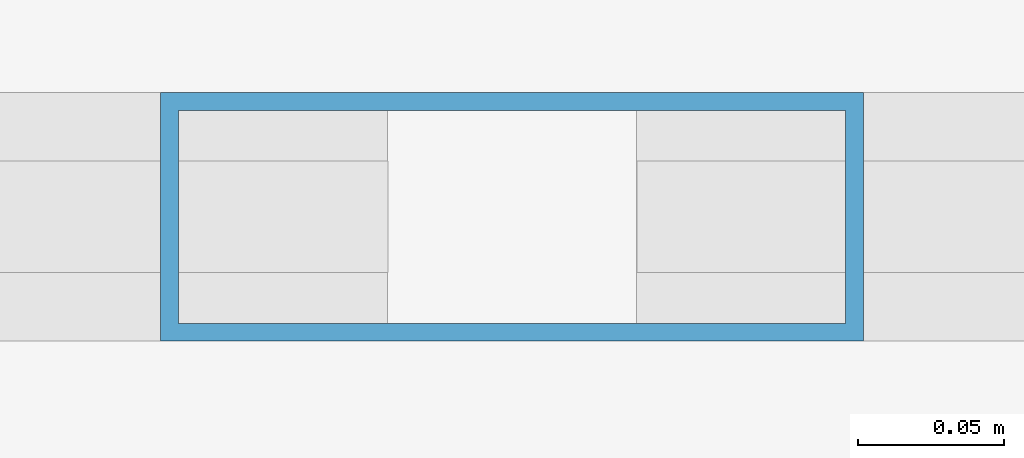
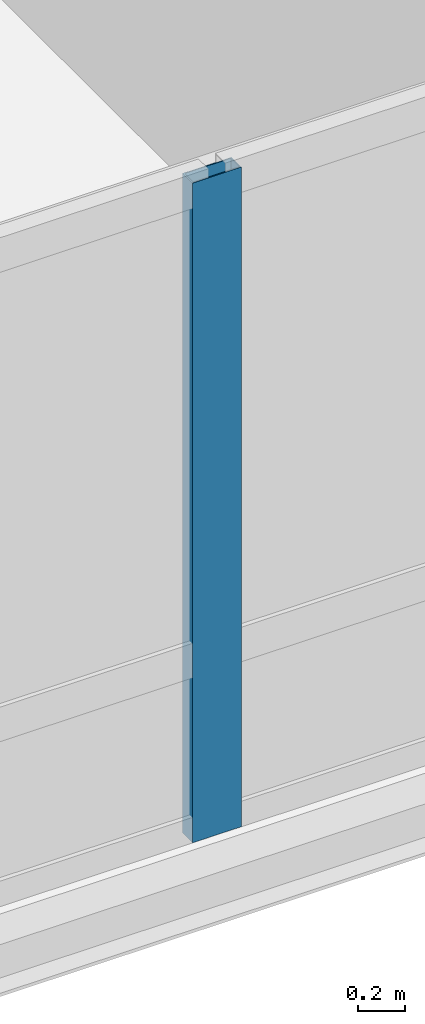
# One storey, part 9 of 29: 1 member, 1 element without a shape of its own.
"""IFC4 building model written with IfcOpenShell, lengths in metres."""

import ifcopenshell
import ifcopenshell.guid

model = None  # the IFC model being written
_history = None  # IfcOwnerHistory: only IFC2X3 demands one
_inside = {}  # id of a spatial element -> (the spatial element, [elements in it])
_under = {}  # id of a project, library or spatial element -> (it, [spatial elements below it])
_declared = {}  # id of a project -> (the project, [libraries it declares])
_typed = {}  # id of a type object -> (the type object, [elements of that type])
_made_of = {}  # id of a material, layer set ... -> (it, [elements and type objects made of it])


def new_model(schema):
    """Start an empty IFC model of exactly this schema.

    Asked for "IFC4X3", IfcOpenShell would pick the latest addendum, in which some entities
    have other attributes; the version numbers below select the first issue.
    IFC2X3 requires an IfcOwnerHistory on every rooted entity: one is made here for all.
    """
    global model, _history
    if schema == "IFC4X3":
        model = ifcopenshell.file(schema_version=(4, 3, 0, 0))
    else:
        model = ifcopenshell.file(schema=schema)
    _inside.clear()
    _under.clear()
    _declared.clear()
    _typed.clear()
    _made_of.clear()
    _history = None
    if model.schema == "IFC2X3":
        org = make("IfcOrganization", Name="unknown")
        user = make(
            "IfcPersonAndOrganization",
            ThePerson=make("IfcPerson", FamilyName="unknown"),
            TheOrganization=org,
        )
        app = make(
            "IfcApplication",
            ApplicationDeveloper=org,
            Version="unknown",
            ApplicationFullName="unknown",
            ApplicationIdentifier="unknown",
        )
        _history = make(
            "IfcOwnerHistory",
            OwningUser=user,
            OwningApplication=app,
            ChangeAction="ADDED",
            CreationDate=0,
        )
    return model


def make(cls, **values):
    """One entity of the class cls with the attributes given. An attribute that is None is left unset."""
    return model.create_entity(
        cls, **{name: value for name, value in values.items() if value is not None}
    )


def rooted(cls, **values):
    """An entity with a GlobalId (a new one), such as an element, a storey or a relation."""
    return make(cls, GlobalId=ifcopenshell.guid.new(), OwnerHistory=_history, **values)


def si_unit(unit_type, name, prefix=None):
    """IfcSIUnit, for example si_unit("LENGTHUNIT", "METRE", prefix="MILLI")."""
    return make("IfcSIUnit", UnitType=unit_type, Prefix=prefix, Name=name)


def assignment(units):
    """IfcUnitAssignment: the units of a project."""
    return None if units is None else make("IfcUnitAssignment", Units=units)


def point(xyz):
    """IfcCartesianPoint."""
    return None if xyz is None else make("IfcCartesianPoint", Coordinates=xyz)


def direction(xyz):
    """IfcDirection."""
    return None if xyz is None else make("IfcDirection", DirectionRatios=xyz)


def frame(location, z_axis=None, x_axis=None):
    """IfcAxis2Placement3D, a coordinate frame: its origin and axes. An axis left out is left unset."""
    return make(
        "IfcAxis2Placement3D",
        Location=point(location),
        Axis=direction(z_axis),
        RefDirection=direction(x_axis),
    )


def frame_2d(location, x_axis=None):
    """IfcAxis2Placement2D, a coordinate frame in the plane: its origin and x axis."""
    return make(
        "IfcAxis2Placement2D", Location=point(location), RefDirection=direction(x_axis)
    )


def origin():
    """The frame at (0, 0, 0) with its axes left unset."""
    return frame((0.0, 0.0, 0.0))


def origin_2d():
    """The frame at (0, 0) in the plane with its x axis left unset."""
    return frame_2d((0.0, 0.0))


def place(relative_to, where):
    """IfcLocalPlacement: puts the frame where relative to a parent placement (None: the world)."""
    return make(
        "IfcLocalPlacement", PlacementRelTo=relative_to, RelativePlacement=where
    )


def context(
    kind, dimensions, precision=None, world=None, true_north=None, identifier=None
):
    """IfcGeometricRepresentationContext, for example the 3D "Model" context."""
    return make(
        "IfcGeometricRepresentationContext",
        ContextIdentifier=identifier,
        ContextType=kind,
        CoordinateSpaceDimension=dimensions,
        Precision=precision,
        WorldCoordinateSystem=world,
        TrueNorth=true_north,
    )


def subcontext(parent, identifier, kind, view, scale=None):
    """IfcGeometricRepresentationSubContext, for example "Body" below "Model"."""
    return make(
        "IfcGeometricRepresentationSubContext",
        ContextIdentifier=identifier,
        ContextType=kind,
        ParentContext=parent,
        TargetScale=scale,
        TargetView=view,
    )


def project(units=None, contexts=None):
    """IfcProject with its units and contexts."""
    return rooted(
        "IfcProject",
        Name="project",
        RepresentationContexts=contexts,
        UnitsInContext=assignment(units),
    )


def spatial(cls, under=None, at=None, **own):
    """A site, building, storey or space (cls), placed at a placement, below another one or the project."""
    s = rooted(cls, ObjectPlacement=at, **own)
    if under is not None:
        _under.setdefault(under.id(), (under, []))[1].append(s)
    return s


def profile(cls, at=None, kind="AREA", **sizes):
    """A parametric profile (cls). Its sizes go by their IFC names, for example OverallWidth=200.0."""
    return make(cls, ProfileType=kind, Position=at, **sizes)


def hollow_rectangle(**sizes):
    """IfcRectangleHollowProfileDef."""
    return profile("IfcRectangleHollowProfileDef", **sizes)


def extrude(swept, where, along, depth):
    """IfcExtrudedAreaSolid: the profile swept, set in the frame where, extruded along a direction by depth."""
    return make(
        "IfcExtrudedAreaSolid",
        SweptArea=swept,
        Position=where,
        ExtrudedDirection=direction(along),
        Depth=depth,
    )


def shape(context_of_items, identifier, shape_type, items):
    """IfcShapeRepresentation: the items that make up one representation, for example the "Body"."""
    return make(
        "IfcShapeRepresentation",
        ContextOfItems=context_of_items,
        RepresentationIdentifier=identifier,
        RepresentationType=shape_type,
        Items=items,
    )


def material(Name=None, Category=None):
    """IfcMaterial."""
    return make("IfcMaterial", Name=Name, Category=Category)


def material_profile(
    of_material, cross_section, Name=None, Category=None, Priority=None
):
    """IfcMaterialProfile: a cross section and its material."""
    return make(
        "IfcMaterialProfile",
        Name=Name,
        Material=of_material,
        Profile=cross_section,
        Priority=Priority,
        Category=Category,
    )


def profile_set(profiles, Name=None, composite=None):
    """IfcMaterialProfileSet."""
    return make(
        "IfcMaterialProfileSet",
        Name=Name,
        MaterialProfiles=profiles,
        CompositeProfile=composite,
    )


def made_of(thing, what):
    """Note that an element or type object is made of a material, layer set ...; save() writes the relation."""
    if what is not None:
        _made_of.setdefault(what.id(), (what, []))[1].append(thing)
    return thing


def type_object(cls, material=None, **own):
    """A type object (cls), such as IfcWallType, which elements share."""
    return made_of(rooted(cls, **own), material)


def element(
    cls,
    number,
    at=None,
    inside=None,
    cuts=None,
    type_object=None,
    material=None,
    context=None,
    identifier="Body",
    shape_type=None,
    held_by="IfcProductDefinitionShape",
    body=None,
    shapes=None,
    **own,
):
    """One element of the class cls, such as IfcWall. Its Tag is "e" and its number.

    at: its placement. inside: the storey or other place that contains it. cuts: it is an
    opening in that element (IfcRelVoidsElement). A single representation is given by context,
    identifier, shape_type and body (its items); several are given by shapes. held_by: the class
    of the entity that holds the representations. save() writes the other relations.
    """
    e = rooted(cls, Tag="e%d" % number, ObjectPlacement=at, **own)
    if body is not None:
        shapes = [shape(context, identifier, shape_type, body)]
    if shapes is not None:
        e.Representation = make(held_by, Representations=shapes)
    if inside is not None:
        _inside.setdefault(inside.id(), (inside, []))[1].append(e)
    if cuts is not None:
        rooted(
            "IfcRelVoidsElement", RelatingBuildingElement=cuts, RelatedOpeningElement=e
        )
    if type_object is not None:
        _typed.setdefault(type_object.id(), (type_object, []))[1].append(e)
    return made_of(e, material)


def aggregate(whole, parts):
    """IfcRelAggregates: a whole, such as a stair, and the parts it consists of."""
    return rooted("IfcRelAggregates", RelatingObject=whole, RelatedObjects=parts)


def save(model, path):
    """Write the relations noted so far, then the file.

    IfcRelAggregates (storeys below a building ...), IfcRelContainedInSpatialStructure (elements
    in a storey), IfcRelDefinesByType, IfcRelAssociatesMaterial and IfcRelDeclares: one each for
    every whole, place, type object, material and project.
    """
    for whole, parts in _under.values():
        aggregate(whole, parts)
    for where, things in _inside.values():
        rooted(
            "IfcRelContainedInSpatialStructure",
            RelatedElements=things,
            RelatingStructure=where,
        )
    for kind, things in _typed.values():
        rooted("IfcRelDefinesByType", RelatedObjects=things, RelatingType=kind)
    for what, things in _made_of.values():
        rooted("IfcRelAssociatesMaterial", RelatedObjects=things, RelatingMaterial=what)
    for by, libraries in _declared.values():
        rooted("IfcRelDeclares", RelatingContext=by, RelatedDefinitions=libraries)
    model.write(path)


model = new_model("IFC4")

# Units and contexts
model_context = context("Model", 3, precision=1e-05, world=origin(), true_north=direction((0.0, 1.0)))
body_context = subcontext(model_context, "Body", "Model", "MODEL_VIEW")
ifc_project = project(units=[si_unit("LENGTHUNIT", "METRE"), si_unit("AREAUNIT", "SQUARE_METRE"), si_unit("VOLUMEUNIT", "CUBIC_METRE"), si_unit("PLANEANGLEUNIT", "RADIAN"), si_unit("MASSUNIT", "GRAM", prefix="KILO")], contexts=[model_context])

# Site, building, storey
site_placement = place(None, origin())
site = spatial("IfcSite", under=ifc_project, at=site_placement, CompositionType="ELEMENT")
building_placement = place(site_placement, origin())
building = spatial("IfcBuilding", under=site, at=building_placement, Name="Khoronbel Lancet Exchange", CompositionType="ELEMENT")
storey_placement = place(building_placement, frame((0.0, 0.0, 321.800048828125)))
storey = spatial("IfcBuildingStorey", under=building, at=storey_placement, Name="L83", CompositionType="ELEMENT", Elevation=321.800048828125)

# Curtain wall, member
ifc_material_1 = material(Name="Low-E Solar Control Insulating Glass", Category="glass")
curtain_wall_type = type_object("IfcCurtainWallType", Name="CW-3", PredefinedType="NOTDEFINED", material=ifc_material_1)
curtain_wall_placement = place(storey_placement, origin())
curtain_wall = element("IfcCurtainWall", 1, at=curtain_wall_placement, inside=storey, type_object=curtain_wall_type, Name="Unitised curtain wall CW-L83-SCV", PredefinedType="NOTDEFINED")
ifc_material_2 = material(Name="Bronze-Anodised Aluminium 6063-T6", Category="aluminium")
ifc_material_profile = material_profile(ifc_material_2, hollow_rectangle(XDim=0.0849609375, YDim=0.239990234375, WallThickness=0.006103515625, at=origin_2d()), Name="ALU MULLION 85x240")
ifc_profile_set = profile_set([ifc_material_profile], Name="Bronze-Anodised Aluminium 6063-T6")
member_type = type_object("IfcMemberType", Name="MEM-CWM1", PredefinedType="MULLION", material=ifc_profile_set)
member_placement = place(storey_placement, frame((36.449951171875, 9.7900390625, 0.0), z_axis=(0.0, 0.0, 1.0), x_axis=(0.0, 1.0, 0.0)))
member = element("IfcMember", 2, at=member_placement, type_object=member_type, Name="CW3 mullion 2", PredefinedType="MULLION", context=body_context, shape_type="SweptSolid", body=[
    extrude(hollow_rectangle(XDim=0.0849609375, YDim=0.239990234375, WallThickness=0.006103515625, at=origin_2d()), origin(), (0.0, 0.0, 1.0), 3.43994140625),
])
aggregate(curtain_wall, [member])

save(model, "model.ifc")
